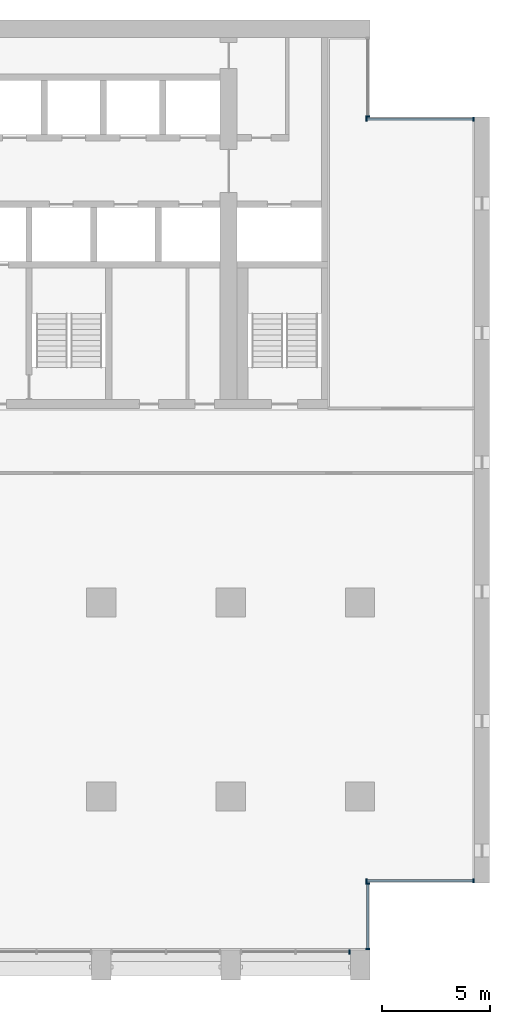
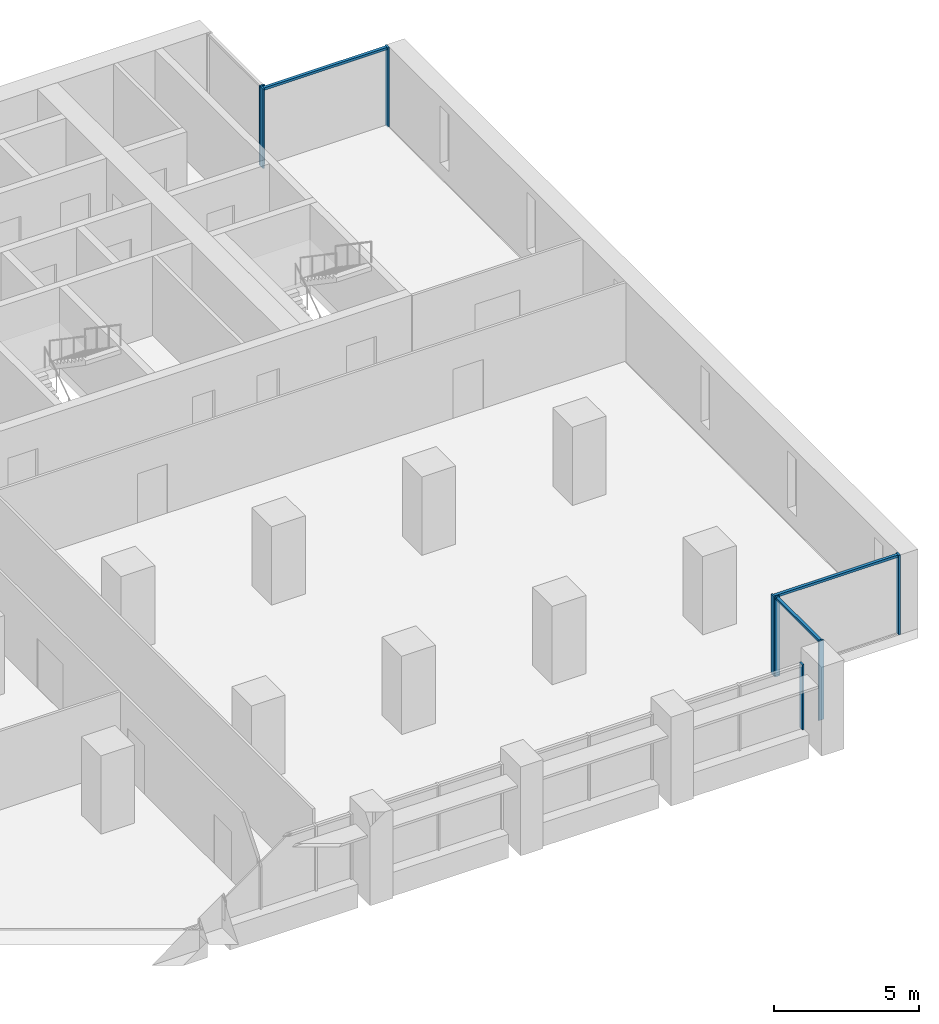
# One storey, part 5 of 15: 11 members, 5 elements without a shape of their own.
"""IFC4 building model written with IfcOpenShell, lengths in metres."""

from ifc_helpers import new_model, si_unit, direction, frame, origin, origin_2d, place, context, subcontext, project, spatial, rectangle, extrude, material, material_profile, profile_set, type_object, element, aggregate, save


model = new_model("IFC4")

# Units and contexts
model_context = context("Model", 3, precision=1e-05, world=origin(), true_north=direction((0.0, 1.0)))
body_context = subcontext(model_context, "Body", "Model", "MODEL_VIEW")
ifc_project = project(units=[si_unit("LENGTHUNIT", "METRE"), si_unit("AREAUNIT", "SQUARE_METRE"), si_unit("VOLUMEUNIT", "CUBIC_METRE"), si_unit("PLANEANGLEUNIT", "RADIAN"), si_unit("MASSUNIT", "GRAM", prefix="KILO")], contexts=[model_context])

# Site, building, storey
site_placement = place(None, origin())
site = spatial("IfcSite", under=ifc_project, at=site_placement, CompositionType="ELEMENT")
building_placement = place(site_placement, origin())
building = spatial("IfcBuilding", under=site, at=building_placement, Name="Calvaro Tower", CompositionType="ELEMENT")
storey_placement = place(building_placement, frame((0.0, 0.0, 121.25)))
storey = spatial("IfcBuildingStorey", under=building, at=storey_placement, Name="L30", CompositionType="ELEMENT", Elevation=121.25)

# Curtain wall, member
ifc_material_1 = material(Name="Anodised aluminium", Category="aluminium")
curtain_wall_type = type_object("IfcCurtainWallType", Name="Office curtain wall, middle zone", PredefinedType="NOTDEFINED", material=ifc_material_1)
curtain_wall_1_placement = place(storey_placement, origin())
curtain_wall_1 = element("IfcCurtainWall", 1, at=curtain_wall_1_placement, inside=storey, type_object=curtain_wall_type, Name="CW2 south curtain wall", PredefinedType="NOTDEFINED")
ifc_material_2 = material(Name="Anodised aluminium", Category="aluminium")
ifc_material_profile_1 = material_profile(ifc_material_2, rectangle(XDim=0.199951171875, YDim=0.070068359375, at=origin_2d()), Name="Mullion S2 70 x 200")
ifc_profile_set_1 = profile_set([ifc_material_profile_1], Name="Anodised aluminium")
member_type_1 = type_object("IfcMemberType", Name="Mullion S2 70 x 200", PredefinedType="MULLION", material=ifc_profile_set_1)
member_1_placement = place(storey_placement, frame((65.514892578125, 2.800048828125, 0.0), z_axis=(0.0, 0.0, 1.0), x_axis=(0.0, 1.0, 0.0)))
member_1 = element("IfcMember", 2, at=member_1_placement, type_object=member_type_1, Name="CW2 mullion 3", PredefinedType="MULLION", context=body_context, shape_type="SweptSolid", body=[
    extrude(rectangle(XDim=0.199951171875, YDim=0.070068359375, at=origin_2d()), origin(), (0.0, 0.0, 1.0), 2.75),
])
aggregate(curtain_wall_1, [member_1])

# Curtain wall, members
curtain_wall_2_placement = place(storey_placement, origin())
curtain_wall_2 = element("IfcCurtainWall", 3, at=curtain_wall_2_placement, inside=storey, type_object=curtain_wall_type, Name="CW2 corner curtain wall", PredefinedType="NOTDEFINED")
member_2_placement = place(storey_placement, frame((66.35009765625, 2.93505859375, 0.0), z_axis=(0.0, 0.0, 1.0), x_axis=(-1.0, 0.0, 0.0)))
member_2 = element("IfcMember", 4, at=member_2_placement, type_object=member_type_1, Name="CW2 mullion 1", PredefinedType="MULLION", context=body_context, shape_type="SweptSolid", body=[
    extrude(rectangle(XDim=0.199951171875, YDim=0.070068359375, at=origin_2d()), origin(), (0.0, 0.0, 1.0), 3.35009765625),
])
member_3_placement = place(storey_placement, frame((66.35009765625, 5.965087890625, 0.0), z_axis=(0.0, 0.0, 1.0), x_axis=(-1.0, 0.0, 0.0)))
member_3 = element("IfcMember", 5, at=member_3_placement, type_object=member_type_1, Name="CW2 mullion 2", PredefinedType="MULLION", context=body_context, shape_type="SweptSolid", body=[
    extrude(rectangle(XDim=0.199951171875, YDim=0.070068359375, at=origin_2d()), origin(), (0.0, 0.0, 1.0), 3.35009765625),
])

curtain_wall_3_placement = place(storey_placement, origin())
curtain_wall_3 = element("IfcCurtainWall", 6, at=curtain_wall_3_placement, inside=storey, type_object=curtain_wall_type, Name="CW2 corner curtain wall", PredefinedType="NOTDEFINED")
member_4_placement = place(storey_placement, frame((66.284912109375, 6.10009765625, 0.0), z_axis=(0.0, 0.0, 1.0), x_axis=(0.0, 1.0, 0.0)))
member_4 = element("IfcMember", 7, at=member_4_placement, type_object=member_type_1, Name="CW2 mullion 1", PredefinedType="MULLION", context=body_context, shape_type="SweptSolid", body=[
    extrude(rectangle(XDim=0.199951171875, YDim=0.070068359375, at=origin_2d()), origin(), (0.0, 0.0, 1.0), 3.35009765625),
])
member_5_placement = place(storey_placement, frame((71.264892578125, 6.10009765625, 0.0), z_axis=(0.0, 0.0, 1.0), x_axis=(0.0, 1.0, 0.0)))
member_5 = element("IfcMember", 8, at=member_5_placement, type_object=member_type_1, Name="CW2 mullion 2", PredefinedType="MULLION", context=body_context, shape_type="SweptSolid", body=[
    extrude(rectangle(XDim=0.199951171875, YDim=0.070068359375, at=origin_2d()), origin(), (0.0, 0.0, 1.0), 3.35009765625),
])

# Curtain wall, member
curtain_wall_4_placement = place(storey_placement, origin())
curtain_wall_4 = element("IfcCurtainWall", 9, at=curtain_wall_4_placement, inside=storey, type_object=curtain_wall_type, Name="CW2 corner curtain wall", PredefinedType="NOTDEFINED")
member_6_placement = place(storey_placement, frame((66.35009765625, 41.534912109375, 0.0), z_axis=(0.0, 0.0, 1.0), x_axis=(-1.0, 0.0, 0.0)))
member_6 = element("IfcMember", 10, at=member_6_placement, type_object=member_type_1, Name="CW2 mullion 1", PredefinedType="MULLION", context=body_context, shape_type="SweptSolid", body=[
    extrude(rectangle(XDim=0.199951171875, YDim=0.070068359375, at=origin_2d()), origin(), (0.0, 0.0, 1.0), 3.35009765625),
])
aggregate(curtain_wall_4, [member_6])

# Curtain wall, members
curtain_wall_5_placement = place(storey_placement, origin())
curtain_wall_5 = element("IfcCurtainWall", 11, at=curtain_wall_5_placement, inside=storey, type_object=curtain_wall_type, Name="CW2 corner curtain wall", PredefinedType="NOTDEFINED")
member_7_placement = place(storey_placement, frame((66.284912109375, 41.39990234375, 0.0), z_axis=(0.0, 0.0, 1.0), x_axis=(0.0, 1.0, 0.0)))
member_7 = element("IfcMember", 12, at=member_7_placement, type_object=member_type_1, Name="CW2 mullion 1", PredefinedType="MULLION", context=body_context, shape_type="SweptSolid", body=[
    extrude(rectangle(XDim=0.199951171875, YDim=0.070068359375, at=origin_2d()), origin(), (0.0, 0.0, 1.0), 3.35009765625),
])
member_8_placement = place(storey_placement, frame((71.264892578125, 41.39990234375, 0.0), z_axis=(0.0, 0.0, 1.0), x_axis=(0.0, 1.0, 0.0)))
member_8 = element("IfcMember", 13, at=member_8_placement, type_object=member_type_1, Name="CW2 mullion 2", PredefinedType="MULLION", context=body_context, shape_type="SweptSolid", body=[
    extrude(rectangle(XDim=0.199951171875, YDim=0.070068359375, at=origin_2d()), origin(), (0.0, 0.0, 1.0), 3.35009765625),
])

# Member
ifc_material_3 = material(Name="Anodised aluminium", Category="aluminium")
ifc_material_profile_2 = material_profile(ifc_material_3, rectangle(XDim=0.1201171875, YDim=0.10009765625, at=origin_2d()), Name="Transom S2 100 x 120")
ifc_profile_set_2 = profile_set([ifc_material_profile_2], Name="Anodised aluminium")
member_type_2 = type_object("IfcMemberType", Name="Transom S2 100 x 120", PredefinedType="USERDEFINED", material=ifc_profile_set_2)
member_9_placement = place(storey_placement, frame((66.35009765625, 2.969970703125, 3.300048828125), z_axis=(0.0, 1.0, 0.0), x_axis=(-1.0, 0.0, 0.0)))
member_9 = element("IfcMember", 14, at=member_9_placement, type_object=member_type_2, Name="CW2 transom 1.1", ObjectType="TRANSOM", PredefinedType="USERDEFINED", context=body_context, shape_type="SweptSolid", body=[
    extrude(rectangle(XDim=0.1201171875, YDim=0.10009765625, at=origin_2d()), origin(), (0.0, 0.0, 1.0), 2.9599609375),
])

aggregate(curtain_wall_2, [member_2, member_3, member_9])

member_10_placement = place(storey_placement, frame((66.320068359375, 6.10009765625, 3.300048828125), z_axis=(1.0, 0.0, 0.0), x_axis=(0.0, 1.0, 0.0)))
member_10 = element("IfcMember", 15, at=member_10_placement, type_object=member_type_2, Name="CW2 transom 1.1", ObjectType="TRANSOM", PredefinedType="USERDEFINED", context=body_context, shape_type="SweptSolid", body=[
    extrude(rectangle(XDim=0.1201171875, YDim=0.10009765625, at=origin_2d()), origin(), (0.0, 0.0, 1.0), 4.909912109375),
])

aggregate(curtain_wall_3, [member_4, member_5, member_10])

member_11_placement = place(storey_placement, frame((66.320068359375, 41.39990234375, 3.300048828125), z_axis=(1.0, 0.0, 0.0), x_axis=(0.0, 1.0, 0.0)))
member_11 = element("IfcMember", 16, at=member_11_placement, type_object=member_type_2, Name="CW2 transom 1.1", ObjectType="TRANSOM", PredefinedType="USERDEFINED", context=body_context, shape_type="SweptSolid", body=[
    extrude(rectangle(XDim=0.1201171875, YDim=0.10009765625, at=origin_2d()), origin(), (0.0, 0.0, 1.0), 4.909912109375),
])

aggregate(curtain_wall_5, [member_7, member_8, member_11])

save(model, "model.ifc")
